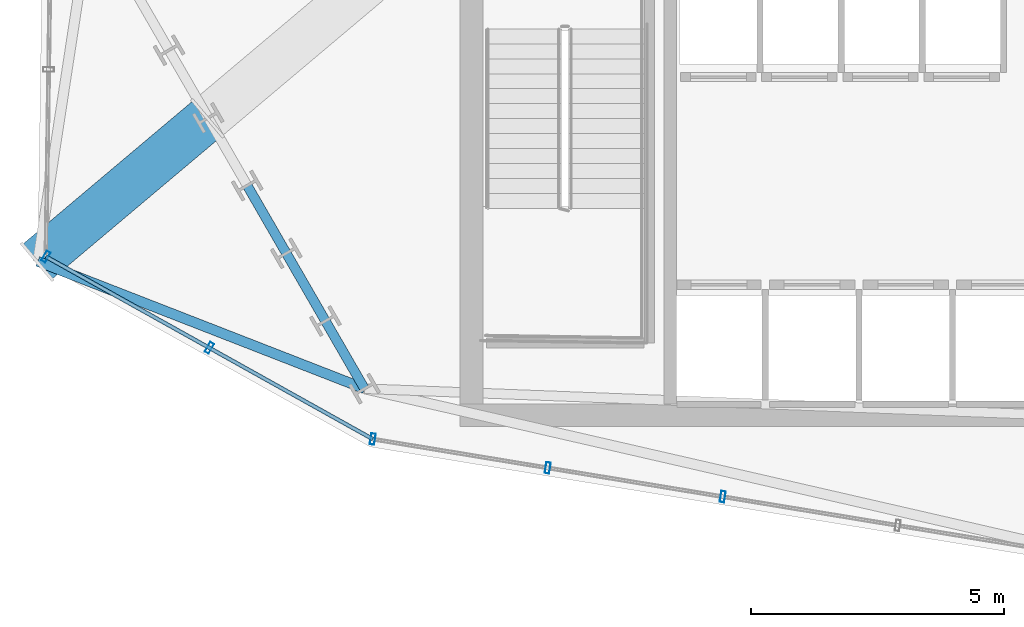
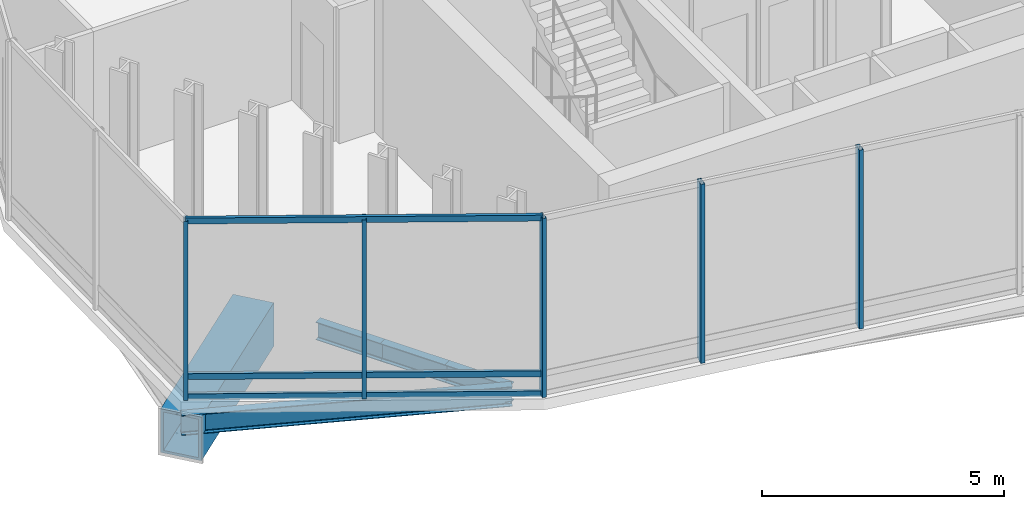
# One storey, part 2 of 26: 8 members, 5 beams, 2 elements without a shape of their own.
"""IFC4 building model written with IfcOpenShell, lengths in metres."""

from ifc_helpers import new_model, si_unit, direction, frame, origin, origin_2d, place, context, subcontext, project, spatial, hollow_rectangle, i_section, extrude, material, layer, layer_set, material_profile, profile_set, type_object, element, aggregate, save


model = new_model("IFC4")

# Units and contexts
model_context = context("Model", 3, precision=1e-05, world=origin(), true_north=direction((0.0, 1.0)))
body_context = subcontext(model_context, "Body", "Model", "MODEL_VIEW")
ifc_project = project(units=[si_unit("LENGTHUNIT", "METRE"), si_unit("AREAUNIT", "SQUARE_METRE"), si_unit("VOLUMEUNIT", "CUBIC_METRE"), si_unit("PLANEANGLEUNIT", "RADIAN"), si_unit("MASSUNIT", "GRAM", prefix="KILO")], contexts=[model_context])

# Site, building, storey
site_placement = place(None, origin())
site = spatial("IfcSite", under=ifc_project, at=site_placement, CompositionType="ELEMENT")
building_placement = place(site_placement, origin())
building = spatial("IfcBuilding", under=site, at=building_placement, Name="Ndaravel Arena Tower", CompositionType="ELEMENT")
storey_placement = place(building_placement, frame((0.0, 0.0, 117.39990234375)))
storey = spatial("IfcBuildingStorey", under=building, at=storey_placement, Name="L27", CompositionType="ELEMENT", Elevation=117.39990234375)

# Beams
ifc_material_1 = material(Name="Steel S355", Category="steel")
ifc_material_profile_1 = material_profile(ifc_material_1, i_section(OverallWidth=0.18994140625, OverallDepth=0.449951171875, WebThickness=0.009521484375, FlangeThickness=0.0146484375, FilletRadius=0.02099609375, at=origin_2d()), Name="IPE 450")
ifc_profile_set_1 = profile_set([ifc_material_profile_1], Name="Steel S355")
beam_type_1 = type_object("IfcBeamType", Name="BM-SPAN-IPE450", PredefinedType="SPANDREL", material=ifc_profile_set_1)
for number, where, z_axis, x_axis, name in (
    (1, (22.249267578125, 10.157958984375, -0.5048828125), (0.499882215713, -0.866093395895, 0.0), (0.866093395895, 0.499882215713, 0.0), "L27 Perimeter Spandrel Beam SP-24"),
    (2, (23.020751953125, 8.8212890625, -0.5048828125), (0.500069364209, -0.865985352636, 0.0), (0.865985352636, 0.500069364209, 0.0), "L27 Perimeter Spandrel Beam SP-25"),
):
    element("IfcBeam", number, at=place(storey_placement, frame(where, z_axis=z_axis, x_axis=x_axis)), inside=storey, type_object=beam_type_1, Name=name, PredefinedType="SPANDREL", context=body_context, shape_type="SweptSolid", body=[
        extrude(i_section(OverallWidth=0.18994140625, OverallDepth=0.449951171875, WebThickness=0.009521484375, FlangeThickness=0.0146484375, FilletRadius=0.02099609375, at=origin_2d()), origin(), (0.0, 0.0, 1.0), 1.543212890625),
    ])
beam_1_placement = place(storey_placement, frame((23.79248046875, 7.48486328125, -0.5048828125), z_axis=(0.5000008632, -0.866024905415, 0.0), x_axis=(0.866024905415, 0.5000008632, 0.0)))
element("IfcBeam", 3, at=beam_1_placement, inside=storey, type_object=beam_type_1, Name="L27 Perimeter Spandrel Beam SP-26", PredefinedType="SPANDREL", context=body_context, shape_type="SweptSolid", body=[
    extrude(i_section(OverallWidth=0.18994140625, OverallDepth=0.449951171875, WebThickness=0.009521484375, FlangeThickness=0.0146484375, FilletRadius=0.02099609375, at=origin_2d()), origin(), (0.0, 0.0, 1.0), 1.54345703125),
])
ifc_material_2 = material(Name="Steel S355", Category="steel")
ifc_material_profile_2 = material_profile(ifc_material_2, i_section(OverallWidth=0.199951171875, OverallDepth=0.5, WebThickness=0.01025390625, FlangeThickness=0.01611328125, FilletRadius=0.02099609375, at=origin_2d()), Name="IPE 500")
ifc_profile_set_2 = profile_set([ifc_material_profile_2], Name="Steel S355")
beam_type_2 = type_object("IfcBeamType", Name="BM-SPAN-IPE500", PredefinedType="SPANDREL", material=ifc_profile_set_2)
beam_2_placement = place(storey_placement, frame((18.113525390625, 8.661376953125, -0.52978515625), z_axis=(0.931780800221, -0.363021404794, 0.0), x_axis=(0.363021404794, 0.931780800221, 0.0)))
element("IfcBeam", 4, at=beam_2_placement, inside=storey, type_object=beam_type_2, Name="L27 Star Facet Edge Beam SEB-1", PredefinedType="SPANDREL", context=body_context, shape_type="SweptSolid", body=[
    extrude(i_section(OverallWidth=0.199951171875, OverallDepth=0.5, WebThickness=0.01025390625, FlangeThickness=0.01611328125, FilletRadius=0.02099609375, at=origin_2d()), origin(), (0.0, 0.0, 1.0), 6.9228515625),
])
ifc_material_3 = material(Name="Steel S460", Category="steel")
ifc_material_profile_3 = material_profile(ifc_material_3, hollow_rectangle(XDim=0.89990234375, YDim=1.10009765625, WallThickness=0.06494140625, at=origin_2d()), Name="BOX 1100x900x65")
ifc_profile_set_3 = profile_set([ifc_material_profile_3], Name="Steel S460")
beam_type_3 = type_object("IfcBeamType", Name="BM-STAR-BOX1100", PredefinedType="BEAM", material=ifc_profile_set_3)
beam_3_placement = place(storey_placement, frame((21.4775390625, 11.49462890625, -0.829833984375), z_axis=(-0.764866572693, -0.644188734749, 0.0), x_axis=(0.644188734749, -0.764866572693, 0.0)))
element("IfcBeam", 5, at=beam_3_placement, inside=storey, type_object=beam_type_3, Name="L27 Star Cantilever Tip Girder SCG-1", PredefinedType="BEAM", context=body_context, shape_type="SweptSolid", body=[
    extrude(hollow_rectangle(XDim=0.89990234375, YDim=1.10009765625, WallThickness=0.06494140625, at=origin_2d()), origin(), (0.0, 0.0, 1.0), 4.398193359375),
])

# Curtain wall, members
ifc_material_4 = material(Name="Aluminium", Category="aluminium")
ifc_layer = layer(ifc_material_4, 0.179931640625)
ifc_layer_set = layer_set([ifc_layer], Name="Aluminium")
curtain_wall_type = type_object("IfcCurtainWallType", Name="CW-SYS-04", PredefinedType="NOTDEFINED", material=ifc_layer_set)
curtain_wall_1_placement = place(storey_placement, origin())
curtain_wall_1 = element("IfcCurtainWall", 6, at=curtain_wall_1_placement, inside=storey, type_object=curtain_wall_type, Name="L27 Faceted Crystal Curtain Wall CW-L27-E01", PredefinedType="NOTDEFINED")
ifc_material_5 = material(Name="Aluminium", Category="aluminium")
ifc_material_profile_4 = material_profile(ifc_material_5, hollow_rectangle(XDim=0.090087890625, YDim=0.219970703125, WallThickness=0.0048828125, at=origin_2d()), Name="CW MULLION 90x220x5")
ifc_profile_set_4 = profile_set([ifc_material_profile_4], Name="Aluminium")
member_type_1 = type_object("IfcMemberType", Name="MEM-CW-MUL220", PredefinedType="MULLION", material=ifc_profile_set_4)
member_1_placement = place(storey_placement, frame((18.27490234375, 8.75439453125, 0.0), z_axis=(0.0, 0.0, 1.0), x_axis=(0.87317740032, -0.487402531354, 0.0)))
member_1 = element("IfcMember", 7, at=member_1_placement, type_object=member_type_1, Name="CW-L27-E01 Mullion 00", PredefinedType="MULLION", context=body_context, shape_type="SweptSolid", body=[
    extrude(hollow_rectangle(XDim=0.090087890625, YDim=0.219970703125, WallThickness=0.0048828125, at=origin_2d()), origin(), (0.0, 0.0, 1.0), 4.52001953125),
])
member_2_placement = place(storey_placement, frame((21.500732421875, 6.953857421875, 0.0), z_axis=(0.0, 0.0, 1.0), x_axis=(0.87317740032, -0.487402531354, 0.0)))
member_2 = element("IfcMember", 8, at=member_2_placement, type_object=member_type_1, Name="CW-L27-E01 Mullion 01", PredefinedType="MULLION", context=body_context, shape_type="SweptSolid", body=[
    extrude(hollow_rectangle(XDim=0.090087890625, YDim=0.219970703125, WallThickness=0.0048828125, at=origin_2d()), origin(), (0.0, 0.0, 1.0), 4.52001953125),
])

curtain_wall_2_placement = place(storey_placement, origin())
curtain_wall_2 = element("IfcCurtainWall", 9, at=curtain_wall_2_placement, inside=storey, type_object=curtain_wall_type, Name="L27 Faceted Crystal Curtain Wall CW-L27-E02", PredefinedType="NOTDEFINED")
member_3_placement = place(storey_placement, frame((24.7265625, 5.1533203125, 0.0), z_axis=(0.0, 0.0, 1.0), x_axis=(0.986739822482, -0.162309958809, 0.0)))
member_3 = element("IfcMember", 10, at=member_3_placement, type_object=member_type_1, Name="CW-L27-E02 Mullion 00", PredefinedType="MULLION", context=body_context, shape_type="SweptSolid", body=[
    extrude(hollow_rectangle(XDim=0.090087890625, YDim=0.219970703125, WallThickness=0.0048828125, at=origin_2d()), origin(), (0.0, 0.0, 1.0), 4.52001953125),
])
member_4_placement = place(storey_placement, frame((28.18115234375, 4.585205078125, 0.0), z_axis=(0.0, 0.0, 1.0), x_axis=(0.986739822482, -0.162309958809, 0.0)))
member_4 = element("IfcMember", 11, at=member_4_placement, type_object=member_type_1, Name="CW-L27-E02 Mullion 01", PredefinedType="MULLION", context=body_context, shape_type="SweptSolid", body=[
    extrude(hollow_rectangle(XDim=0.090087890625, YDim=0.219970703125, WallThickness=0.0048828125, at=origin_2d()), origin(), (0.0, 0.0, 1.0), 4.52001953125),
])
member_5_placement = place(storey_placement, frame((31.635986328125, 4.016845703125, 0.0), z_axis=(0.0, 0.0, 1.0), x_axis=(0.986739822482, -0.162309958809, 0.0)))
member_5 = element("IfcMember", 12, at=member_5_placement, type_object=member_type_1, Name="CW-L27-E02 Mullion 02", PredefinedType="MULLION", context=body_context, shape_type="SweptSolid", body=[
    extrude(hollow_rectangle(XDim=0.090087890625, YDim=0.219970703125, WallThickness=0.0048828125, at=origin_2d()), origin(), (0.0, 0.0, 1.0), 4.52001953125),
])
aggregate(curtain_wall_2, [member_3, member_4, member_5])

# Member
ifc_material_6 = material(Name="Aluminium", Category="aluminium")
ifc_material_profile_5 = material_profile(ifc_material_6, hollow_rectangle(XDim=0.074951171875, YDim=0.14990234375, WallThickness=0.00390625, at=origin_2d()), Name="CW TRANSOM 75x150x4")
ifc_profile_set_5 = profile_set([ifc_material_profile_5], Name="Aluminium")
member_type_2 = type_object("IfcMemberType", Name="MEM-CW-TRN150", PredefinedType="USERDEFINED", material=ifc_profile_set_5)
member_6_placement = place(storey_placement, frame((18.27490234375, 8.75439453125, 0.0400390625), z_axis=(0.873189199321, -0.487381392946, 0.0), x_axis=(0.487381392946, 0.873189199321, 0.0)))
member_6 = element("IfcMember", 13, at=member_6_placement, type_object=member_type_2, Name="CW-L27-E01 Transom 01", ObjectType="TRANSOM", PredefinedType="USERDEFINED", context=body_context, shape_type="SweptSolid", body=[
    extrude(hollow_rectangle(XDim=0.074951171875, YDim=0.14990234375, WallThickness=0.00390625, at=origin_2d()), origin(), (0.0, 0.0, 1.0), 7.388671875),
])

member_7_placement = place(storey_placement, frame((18.27490234375, 8.75439453125, 0.550048828125), z_axis=(0.873189199321, -0.487381392946, 0.0), x_axis=(0.487381392946, 0.873189199321, 0.0)))
member_7 = element("IfcMember", 14, at=member_7_placement, type_object=member_type_2, Name="CW-L27-E01 Transom 02", ObjectType="TRANSOM", PredefinedType="USERDEFINED", context=body_context, shape_type="SweptSolid", body=[
    extrude(hollow_rectangle(XDim=0.074951171875, YDim=0.14990234375, WallThickness=0.00390625, at=origin_2d()), origin(), (0.0, 0.0, 1.0), 7.388671875),
])

member_8_placement = place(storey_placement, frame((18.27490234375, 8.75439453125, 4.47998046875), z_axis=(0.873189199321, -0.487381392946, 0.0), x_axis=(0.487381392946, 0.873189199321, 0.0)))
member_8 = element("IfcMember", 15, at=member_8_placement, type_object=member_type_2, Name="CW-L27-E01 Transom 03", ObjectType="TRANSOM", PredefinedType="USERDEFINED", context=body_context, shape_type="SweptSolid", body=[
    extrude(hollow_rectangle(XDim=0.074951171875, YDim=0.14990234375, WallThickness=0.00390625, at=origin_2d()), origin(), (0.0, 0.0, 1.0), 7.388671875),
])

aggregate(curtain_wall_1, [member_1, member_2, member_6, member_7, member_8])

save(model, "model.ifc")
